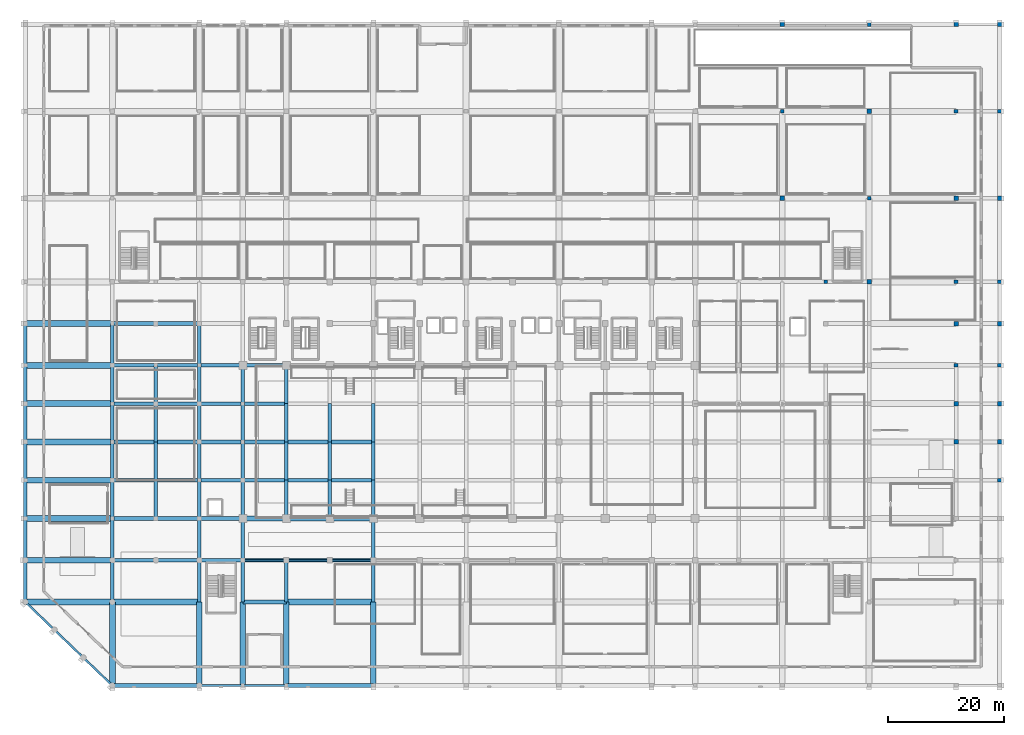
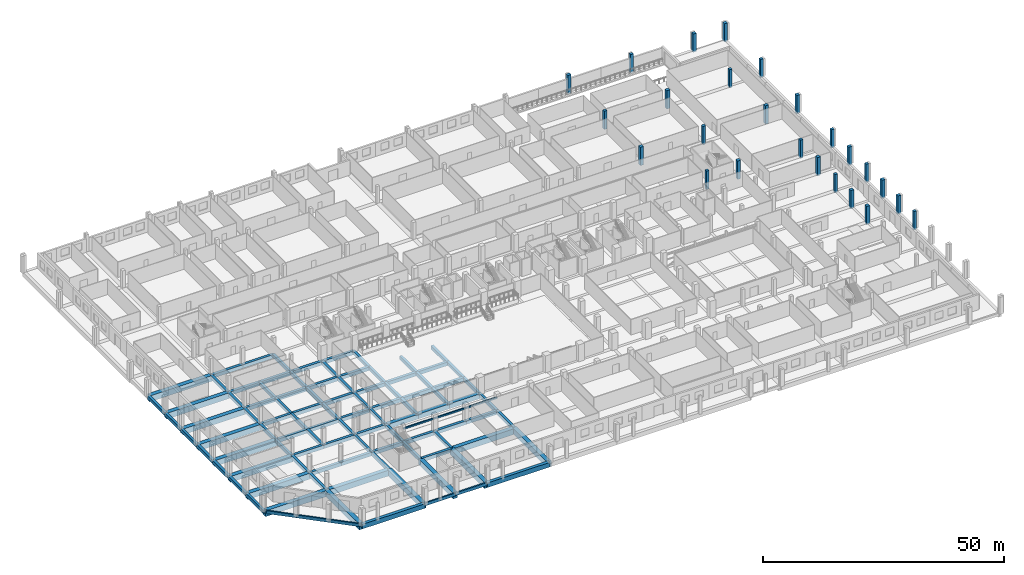
# One storey, part 5 of 33: 104 beams, 25 columns.
"""IFC4 building model written with IfcOpenShell, lengths in metres."""

from ifc_helpers import new_model, si_unit, direction, frame, origin, origin_2d, place, context, subcontext, project, spatial, rectangle, extrude, material, material_profile, profile_set, type_object, element, save


model = new_model("IFC4")

# Units and contexts
model_context = context("Model", 3, precision=1e-05, world=origin(), true_north=direction((0.0, 1.0)))
body_context = subcontext(model_context, "Body", "Model", "MODEL_VIEW")
ifc_project = project(units=[si_unit("LENGTHUNIT", "METRE"), si_unit("AREAUNIT", "SQUARE_METRE"), si_unit("VOLUMEUNIT", "CUBIC_METRE"), si_unit("PLANEANGLEUNIT", "RADIAN"), si_unit("MASSUNIT", "GRAM", prefix="KILO")], contexts=[model_context])

# Site, building, storey
site_placement = place(None, origin())
site = spatial("IfcSite", under=ifc_project, at=site_placement, CompositionType="ELEMENT")
building_placement = place(site_placement, origin())
building = spatial("IfcBuilding", under=site, at=building_placement, Name="Akrevak Sports Hall", CompositionType="ELEMENT")
storey_placement = place(building_placement, origin())
storey = spatial("IfcBuildingStorey", under=building, at=storey_placement, Name="L00", CompositionType="ELEMENT", Elevation=0.0)

# Columns
ifc_material_1 = material(Name="Concrete C40/50", Category="concrete")
ifc_material_profile_1 = material_profile(ifc_material_1, rectangle(XDim=0.64990234375, YDim=0.64990234375, at=origin_2d()), Name="RC 650x650", Category="concrete")
ifc_profile_set_1 = profile_set([ifc_material_profile_1], Name="Concrete C40/50")
column_type_1 = type_object("IfcColumnType", Name="STR-COL-RC650", PredefinedType="COLUMN", material=ifc_profile_set_1)
for number, where, z_axis, x_axis, name in (
    (1, (130.5, 99.0, -0.35009765625), (0.0, 0.0, 1.0), (1.0, 0.0, 0.0), "Column 18/O (L00)"),
    (2, (138.0, 69.60009765625, -0.35009765625), (0.0, 0.0, 1.0), (1.0, 0.0, 0.0), "Column 19/K (L00)"),
    (3, (145.5, 84.0, -0.35009765625), (0.0, 0.0, 1.0), (1.0, 0.0, 0.0), "Column 20/M (L00)"),
    (4, (145.5, 114.0, -0.35009765625), (0.0, 0.0, 1.0), (1.0, 0.0, 0.0), "Column 20/Q (L00)"),
    (5, (160.5, 55.199951171875, -0.35009765625), (0.0, 0.0, 1.0), (1.0, 0.0, 0.0), "Column 22/I (L00)"),
    (6, (160.5, 69.60009765625, -0.35009765625), (0.0, 0.0, 1.0), (1.0, 0.0, 0.0), "Column 22/K (L00)"),
    (7, (160.5, 99.0, -0.35009765625), (0.0, 0.0, 1.0), (1.0, 0.0, 0.0), "Column 22/O (L00)"),
    (8, (168.0, 35.39990234375, -0.35009765625), (0.0, 0.0, 1.0), (1.0, 0.0, 0.0), "Column 23/F (L00)"),
    (9, (168.0, 55.199951171875, -0.35009765625), (0.0, 0.0, 1.0), (1.0, 0.0, 0.0), "Column 23/I (L00)"),
    (10, (168.0, 69.60009765625, -0.35009765625), (0.0, 0.0, 1.0), (1.0, 0.0, 0.0), "Column 23/K (L00)"),
    (11, (168.0, 99.0, -0.35009765625), (0.0, 0.0, 1.0), (1.0, 0.0, 0.0), "Column 23/O (L00)"),
):
    element("IfcColumn", number, at=place(storey_placement, frame(where, z_axis=z_axis, x_axis=x_axis)), inside=storey, type_object=column_type_1, Name=name, PredefinedType="COLUMN", context=body_context, shape_type="SweptSolid", body=[
        extrude(rectangle(XDim=0.64990234375, YDim=0.64990234375, at=origin_2d()), origin(), (0.0, 0.0, 1.0), 4.650146484375),
    ])
ifc_material_profile_2 = material_profile(ifc_material_1, rectangle(XDim=0.75, YDim=0.75, at=origin_2d()), Name="RC 750x750", Category="concrete")
ifc_profile_set_2 = profile_set([ifc_material_profile_2], Name="Concrete C40/50")
column_type_2 = type_object("IfcColumnType", Name="STR-COL-RC750", PredefinedType="COLUMN", material=ifc_profile_set_2)
for number, where, z_axis, x_axis, name in (
    (12, (130.5, 84.0, -0.35009765625), (0.0, 0.0, 1.0), (1.0, 0.0, 0.0), "Column 18/M (L00)"),
    (13, (130.5, 114.0, -0.35009765625), (0.0, 0.0, 1.0), (1.0, 0.0, 0.0), "Column 18/Q (L00)"),
    (14, (145.5, 69.60009765625, -0.35009765625), (0.0, 0.0, 1.0), (1.0, 0.0, 0.0), "Column 20/K (L00)"),
    (15, (145.5, 99.0, -0.35009765625), (0.0, 0.0, 1.0), (1.0, 0.0, 0.0), "Column 20/O (L00)"),
    (16, (160.5, 42.0, -0.35009765625), (0.0, 0.0, 1.0), (1.0, 0.0, 0.0), "Column 22/G (L00)"),
    (17, (160.5, 48.60009765625, -0.35009765625), (0.0, 0.0, 1.0), (1.0, 0.0, 0.0), "Column 22/H (L00)"),
    (18, (160.5, 62.39990234375, -0.35009765625), (0.0, 0.0, 1.0), (1.0, 0.0, 0.0), "Column 22/J (L00)"),
    (19, (160.5, 84.0, -0.35009765625), (0.0, 0.0, 1.0), (1.0, 0.0, 0.0), "Column 22/M (L00)"),
    (20, (160.5, 114.0, -0.35009765625), (0.0, 0.0, 1.0), (1.0, 0.0, 0.0), "Column 22/Q (L00)"),
    (21, (168.0, 42.0, -0.35009765625), (0.0, 0.0, 1.0), (1.0, 0.0, 0.0), "Column 23/G (L00)"),
    (22, (168.0, 48.60009765625, -0.35009765625), (0.0, 0.0, 1.0), (1.0, 0.0, 0.0), "Column 23/H (L00)"),
    (23, (168.0, 62.39990234375, -0.35009765625), (0.0, 0.0, 1.0), (1.0, 0.0, 0.0), "Column 23/J (L00)"),
    (24, (168.0, 84.0, -0.35009765625), (0.0, 0.0, 1.0), (1.0, 0.0, 0.0), "Column 23/M (L00)"),
    (25, (168.0, 114.0, -0.35009765625), (0.0, 0.0, 1.0), (1.0, 0.0, 0.0), "Column 23/Q (L00)"),
):
    element("IfcColumn", number, at=place(storey_placement, frame(where, z_axis=z_axis, x_axis=x_axis)), inside=storey, type_object=column_type_2, Name=name, PredefinedType="COLUMN", context=body_context, shape_type="SweptSolid", body=[
        extrude(rectangle(XDim=0.75, YDim=0.75, at=origin_2d()), origin(), (0.0, 0.0, 1.0), 4.650146484375),
    ])

# Beams
ifc_material_2 = material(Name="Concrete C50/60", Category="concrete")
ifc_material_profile_3 = material_profile(ifc_material_2, rectangle(XDim=1.0, YDim=1.449951171875, at=origin_2d()), Name="BM 1000x1450", Category="concrete")
ifc_profile_set_3 = profile_set([ifc_material_profile_3], Name="Concrete C50/60")
beam_type_1 = type_object("IfcBeamType", Name="STR-BM-LG1000x1450", PredefinedType="BEAM", material=ifc_profile_set_3)
for number, where, z_axis, x_axis, name in (
    (26, (0.0, 14.39990234375, -0.72509765625), (1.0, 0.0, 0.0), (0.0, 1.0, 0.0), "Girder C/1-3 (L00)"),
    (27, (15.0, 14.39990234375, -0.72509765625), (1.0, 0.0, 0.0), (0.0, 1.0, 0.0), "Girder C/3-5 (L00)"),
    (28, (45.0, 14.39990234375, -0.72509765625), (1.0, 0.0, 0.0), (0.0, 1.0, 0.0), "Girder C/7-9 (L00)"),
    (29, (0.0, 21.60009765625, -0.72509765625), (1.0, 0.0, 0.0), (0.0, 1.0, 0.0), "Girder D/1-3 (L00)"),
    (30, (0.0, 28.800048828125, -0.72509765625), (1.0, 0.0, 0.0), (0.0, 1.0, 0.0), "Girder E/1-3 (L00)"),
    (31, (0.0, 35.39990234375, -0.72509765625), (1.0, 0.0, 0.0), (0.0, 1.0, 0.0), "Girder F/1-3 (L00)"),
    (32, (0.0, 42.0, -0.72509765625), (1.0, 0.0, 0.0), (0.0, 1.0, 0.0), "Girder G/1-3 (L00)"),
    (33, (0.0, 48.60009765625, -0.72509765625), (1.0, 0.0, 0.0), (0.0, 1.0, 0.0), "Girder H/1-3 (L00)"),
    (34, (0.0, 55.199951171875, -0.72509765625), (1.0, 0.0, 0.0), (0.0, 1.0, 0.0), "Girder I/1-3 (L00)"),
    (35, (0.0, 62.39990234375, -0.72509765625), (1.0, 0.0, 0.0), (0.0, 1.0, 0.0), "Girder J/1-3 (L00)"),
):
    element("IfcBeam", number, at=place(storey_placement, frame(where, z_axis=z_axis, x_axis=x_axis)), inside=storey, type_object=beam_type_1, Name=name, PredefinedType="BEAM", context=body_context, shape_type="SweptSolid", body=[
        extrude(rectangle(XDim=1.0, YDim=1.449951171875, at=origin_2d()), origin(), (0.0, 0.0, 1.0), 15.0),
    ])
for number, where, z_axis, x_axis, name in (
    (36, (15.0, 0.0, -0.72509765625), (0.0, 1.0, 0.0), (-1.0, 0.0, 0.0), "Girder 3/A-C (L00)"),
    (37, (30.0, 0.0, -0.72509765625), (0.0, 1.0, 0.0), (-1.0, 0.0, 0.0), "Girder 5/A-C (L00)"),
    (38, (37.5, 0.0, -0.72509765625), (0.0, 1.0, 0.0), (-1.0, 0.0, 0.0), "Girder 6/A-C (L00)"),
    (39, (45.0, 0.0, -0.72509765625), (0.0, 1.0, 0.0), (-1.0, 0.0, 0.0), "Girder 7/A-C (L00)"),
    (40, (60.0, 0.0, -0.72509765625), (0.0, 1.0, 0.0), (-1.0, 0.0, 0.0), "Girder 9/A-C (L00)"),
):
    element("IfcBeam", number, at=place(storey_placement, frame(where, z_axis=z_axis, x_axis=x_axis)), inside=storey, type_object=beam_type_1, Name=name, PredefinedType="BEAM", context=body_context, shape_type="SweptSolid", body=[
        extrude(rectangle(XDim=1.0, YDim=1.449951171875, at=origin_2d()), origin(), (0.0, 0.0, 1.0), 14.39990234375),
    ])
ifc_material_profile_4 = material_profile(ifc_material_1, rectangle(XDim=0.60009765625, YDim=0.85009765625, at=origin_2d()), Name="BM 600x850", Category="concrete")
ifc_profile_set_4 = profile_set([ifc_material_profile_4], Name="Concrete C40/50")
beam_type_2 = type_object("IfcBeamType", Name="STR-BM-RC600x850", PredefinedType="BEAM", material=ifc_profile_set_4)
beam_1_placement = place(storey_placement, frame((0.0, 14.39990234375, -0.425048828125), z_axis=(0.0, 1.0, 0.0), x_axis=(-1.0, 0.0, 0.0)))
element("IfcBeam", 41, at=beam_1_placement, inside=storey, type_object=beam_type_2, Name="Girder 1/C-D (L00)", PredefinedType="BEAM", context=body_context, shape_type="SweptSolid", body=[
    extrude(rectangle(XDim=0.60009765625, YDim=0.85009765625, at=origin_2d()), origin(), (0.0, 0.0, 1.0), 7.2001953125),
])
beam_2_placement = place(storey_placement, frame((0.0, 21.60009765625, -0.425048828125), z_axis=(0.0, 1.0, 0.0), x_axis=(-1.0, 0.0, 0.0)))
element("IfcBeam", 42, at=beam_2_placement, inside=storey, type_object=beam_type_2, Name="Girder 1/D-E (L00)", PredefinedType="BEAM", context=body_context, shape_type="SweptSolid", body=[
    extrude(rectangle(XDim=0.60009765625, YDim=0.85009765625, at=origin_2d()), origin(), (0.0, 0.0, 1.0), 7.199951171875),
])
beam_3_placement = place(storey_placement, frame((0.0, 28.800048828125, -0.425048828125), z_axis=(0.0, 1.0, 0.0), x_axis=(-1.0, 0.0, 0.0)))
element("IfcBeam", 43, at=beam_3_placement, inside=storey, type_object=beam_type_2, Name="Girder 1/E-F (L00)", PredefinedType="BEAM", context=body_context, shape_type="SweptSolid", body=[
    extrude(rectangle(XDim=0.60009765625, YDim=0.85009765625, at=origin_2d()), origin(), (0.0, 0.0, 1.0), 6.599853515625),
])
for number, where, z_axis, x_axis, name in (
    (44, (0.0, 35.39990234375, -0.425048828125), (0.0, 1.0, 0.0), (-1.0, 0.0, 0.0), "Girder 1/F-G (L00)"),
    (45, (0.0, 42.0, -0.425048828125), (0.0, 1.0, 0.0), (-1.0, 0.0, 0.0), "Girder 1/G-H (L00)"),
):
    element("IfcBeam", number, at=place(storey_placement, frame(where, z_axis=z_axis, x_axis=x_axis)), inside=storey, type_object=beam_type_2, Name=name, PredefinedType="BEAM", context=body_context, shape_type="SweptSolid", body=[
        extrude(rectangle(XDim=0.60009765625, YDim=0.85009765625, at=origin_2d()), origin(), (0.0, 0.0, 1.0), 6.60009765625),
    ])
beam_4_placement = place(storey_placement, frame((0.0, 48.60009765625, -0.425048828125), z_axis=(0.0, 1.0, 0.0), x_axis=(-1.0, 0.0, 0.0)))
element("IfcBeam", 46, at=beam_4_placement, inside=storey, type_object=beam_type_2, Name="Girder 1/H-I (L00)", PredefinedType="BEAM", context=body_context, shape_type="SweptSolid", body=[
    extrude(rectangle(XDim=0.60009765625, YDim=0.85009765625, at=origin_2d()), origin(), (0.0, 0.0, 1.0), 6.599853515625),
])
beam_5_placement = place(storey_placement, frame((0.0, 55.199951171875, -0.425048828125), z_axis=(0.0, 1.0, 0.0), x_axis=(-1.0, 0.0, 0.0)))
element("IfcBeam", 47, at=beam_5_placement, inside=storey, type_object=beam_type_2, Name="Girder 1/I-J (L00)", PredefinedType="BEAM", context=body_context, shape_type="SweptSolid", body=[
    extrude(rectangle(XDim=0.60009765625, YDim=0.85009765625, at=origin_2d()), origin(), (0.0, 0.0, 1.0), 7.199951171875),
])
beam_6_placement = place(storey_placement, frame((15.0, 14.39990234375, -0.425048828125), z_axis=(0.0, 1.0, 0.0), x_axis=(-1.0, 0.0, 0.0)))
element("IfcBeam", 48, at=beam_6_placement, inside=storey, type_object=beam_type_2, Name="Girder 3/C-D (L00)", PredefinedType="BEAM", context=body_context, shape_type="SweptSolid", body=[
    extrude(rectangle(XDim=0.60009765625, YDim=0.85009765625, at=origin_2d()), origin(), (0.0, 0.0, 1.0), 7.2001953125),
])
beam_7_placement = place(storey_placement, frame((15.0, 21.60009765625, -0.425048828125), z_axis=(0.0, 1.0, 0.0), x_axis=(-1.0, 0.0, 0.0)))
element("IfcBeam", 49, at=beam_7_placement, inside=storey, type_object=beam_type_2, Name="Girder 3/D-E (L00)", PredefinedType="BEAM", context=body_context, shape_type="SweptSolid", body=[
    extrude(rectangle(XDim=0.60009765625, YDim=0.85009765625, at=origin_2d()), origin(), (0.0, 0.0, 1.0), 7.199951171875),
])
beam_8_placement = place(storey_placement, frame((15.0, 28.800048828125, -0.425048828125), z_axis=(0.0, 1.0, 0.0), x_axis=(-1.0, 0.0, 0.0)))
element("IfcBeam", 50, at=beam_8_placement, inside=storey, type_object=beam_type_2, Name="Girder 3/E-F (L00)", PredefinedType="BEAM", context=body_context, shape_type="SweptSolid", body=[
    extrude(rectangle(XDim=0.60009765625, YDim=0.85009765625, at=origin_2d()), origin(), (0.0, 0.0, 1.0), 6.599853515625),
])
for number, where, z_axis, x_axis, name in (
    (51, (15.0, 35.39990234375, -0.425048828125), (0.0, 1.0, 0.0), (-1.0, 0.0, 0.0), "Girder 3/F-G (L00)"),
    (52, (15.0, 42.0, -0.425048828125), (0.0, 1.0, 0.0), (-1.0, 0.0, 0.0), "Girder 3/G-H (L00)"),
):
    element("IfcBeam", number, at=place(storey_placement, frame(where, z_axis=z_axis, x_axis=x_axis)), inside=storey, type_object=beam_type_2, Name=name, PredefinedType="BEAM", context=body_context, shape_type="SweptSolid", body=[
        extrude(rectangle(XDim=0.60009765625, YDim=0.85009765625, at=origin_2d()), origin(), (0.0, 0.0, 1.0), 6.60009765625),
    ])
beam_9_placement = place(storey_placement, frame((15.0, 48.60009765625, -0.425048828125), z_axis=(0.0, 1.0, 0.0), x_axis=(-1.0, 0.0, 0.0)))
element("IfcBeam", 53, at=beam_9_placement, inside=storey, type_object=beam_type_2, Name="Girder 3/H-I (L00)", PredefinedType="BEAM", context=body_context, shape_type="SweptSolid", body=[
    extrude(rectangle(XDim=0.60009765625, YDim=0.85009765625, at=origin_2d()), origin(), (0.0, 0.0, 1.0), 6.599853515625),
])
beam_10_placement = place(storey_placement, frame((15.0, 55.199951171875, -0.425048828125), z_axis=(0.0, 1.0, 0.0), x_axis=(-1.0, 0.0, 0.0)))
element("IfcBeam", 54, at=beam_10_placement, inside=storey, type_object=beam_type_2, Name="Girder 3/I-J (L00)", PredefinedType="BEAM", context=body_context, shape_type="SweptSolid", body=[
    extrude(rectangle(XDim=0.60009765625, YDim=0.85009765625, at=origin_2d()), origin(), (0.0, 0.0, 1.0), 7.199951171875),
])
beam_11_placement = place(storey_placement, frame((22.5, 28.800048828125, -0.425048828125), z_axis=(0.0, 1.0, 0.0), x_axis=(-1.0, 0.0, 0.0)))
element("IfcBeam", 55, at=beam_11_placement, inside=storey, type_object=beam_type_2, Name="Girder 4/E-F (L00)", PredefinedType="BEAM", context=body_context, shape_type="SweptSolid", body=[
    extrude(rectangle(XDim=0.60009765625, YDim=0.85009765625, at=origin_2d()), origin(), (0.0, 0.0, 1.0), 6.599853515625),
])
for number, where, z_axis, x_axis, name in (
    (56, (22.5, 35.39990234375, -0.425048828125), (0.0, 1.0, 0.0), (-1.0, 0.0, 0.0), "Girder 4/F-G (L00)"),
    (57, (22.5, 42.0, -0.425048828125), (0.0, 1.0, 0.0), (-1.0, 0.0, 0.0), "Girder 4/G-H (L00)"),
):
    element("IfcBeam", number, at=place(storey_placement, frame(where, z_axis=z_axis, x_axis=x_axis)), inside=storey, type_object=beam_type_2, Name=name, PredefinedType="BEAM", context=body_context, shape_type="SweptSolid", body=[
        extrude(rectangle(XDim=0.60009765625, YDim=0.85009765625, at=origin_2d()), origin(), (0.0, 0.0, 1.0), 6.60009765625),
    ])
beam_12_placement = place(storey_placement, frame((22.5, 48.60009765625, -0.425048828125), z_axis=(0.0, 1.0, 0.0), x_axis=(-1.0, 0.0, 0.0)))
element("IfcBeam", 58, at=beam_12_placement, inside=storey, type_object=beam_type_2, Name="Girder 4/H-I (L00)", PredefinedType="BEAM", context=body_context, shape_type="SweptSolid", body=[
    extrude(rectangle(XDim=0.60009765625, YDim=0.85009765625, at=origin_2d()), origin(), (0.0, 0.0, 1.0), 6.599853515625),
])
beam_13_placement = place(storey_placement, frame((30.0, 14.39990234375, -0.425048828125), z_axis=(0.0, 1.0, 0.0), x_axis=(-1.0, 0.0, 0.0)))
element("IfcBeam", 59, at=beam_13_placement, inside=storey, type_object=beam_type_2, Name="Girder 5/C-D (L00)", PredefinedType="BEAM", context=body_context, shape_type="SweptSolid", body=[
    extrude(rectangle(XDim=0.60009765625, YDim=0.85009765625, at=origin_2d()), origin(), (0.0, 0.0, 1.0), 7.2001953125),
])
beam_14_placement = place(storey_placement, frame((30.0, 21.60009765625, -0.425048828125), z_axis=(0.0, 1.0, 0.0), x_axis=(-1.0, 0.0, 0.0)))
element("IfcBeam", 60, at=beam_14_placement, inside=storey, type_object=beam_type_2, Name="Girder 5/D-E (L00)", PredefinedType="BEAM", context=body_context, shape_type="SweptSolid", body=[
    extrude(rectangle(XDim=0.60009765625, YDim=0.85009765625, at=origin_2d()), origin(), (0.0, 0.0, 1.0), 7.199951171875),
])
beam_15_placement = place(storey_placement, frame((30.0, 28.800048828125, -0.425048828125), z_axis=(0.0, 1.0, 0.0), x_axis=(-1.0, 0.0, 0.0)))
element("IfcBeam", 61, at=beam_15_placement, inside=storey, type_object=beam_type_2, Name="Girder 5/E-F (L00)", PredefinedType="BEAM", context=body_context, shape_type="SweptSolid", body=[
    extrude(rectangle(XDim=0.60009765625, YDim=0.85009765625, at=origin_2d()), origin(), (0.0, 0.0, 1.0), 6.599853515625),
])
for number, where, z_axis, x_axis, name in (
    (62, (30.0, 35.39990234375, -0.425048828125), (0.0, 1.0, 0.0), (-1.0, 0.0, 0.0), "Girder 5/F-G (L00)"),
    (63, (30.0, 42.0, -0.425048828125), (0.0, 1.0, 0.0), (-1.0, 0.0, 0.0), "Girder 5/G-H (L00)"),
):
    element("IfcBeam", number, at=place(storey_placement, frame(where, z_axis=z_axis, x_axis=x_axis)), inside=storey, type_object=beam_type_2, Name=name, PredefinedType="BEAM", context=body_context, shape_type="SweptSolid", body=[
        extrude(rectangle(XDim=0.60009765625, YDim=0.85009765625, at=origin_2d()), origin(), (0.0, 0.0, 1.0), 6.60009765625),
    ])
beam_16_placement = place(storey_placement, frame((30.0, 48.60009765625, -0.425048828125), z_axis=(0.0, 1.0, 0.0), x_axis=(-1.0, 0.0, 0.0)))
element("IfcBeam", 64, at=beam_16_placement, inside=storey, type_object=beam_type_2, Name="Girder 5/H-I (L00)", PredefinedType="BEAM", context=body_context, shape_type="SweptSolid", body=[
    extrude(rectangle(XDim=0.60009765625, YDim=0.85009765625, at=origin_2d()), origin(), (0.0, 0.0, 1.0), 6.599853515625),
])
beam_17_placement = place(storey_placement, frame((30.0, 55.199951171875, -0.425048828125), z_axis=(0.0, 1.0, 0.0), x_axis=(-1.0, 0.0, 0.0)))
element("IfcBeam", 65, at=beam_17_placement, inside=storey, type_object=beam_type_2, Name="Girder 5/I-J (L00)", PredefinedType="BEAM", context=body_context, shape_type="SweptSolid", body=[
    extrude(rectangle(XDim=0.60009765625, YDim=0.85009765625, at=origin_2d()), origin(), (0.0, 0.0, 1.0), 7.199951171875),
])
beam_18_placement = place(storey_placement, frame((37.5, 14.39990234375, -0.425048828125), z_axis=(0.0, 1.0, 0.0), x_axis=(-1.0, 0.0, 0.0)))
element("IfcBeam", 66, at=beam_18_placement, inside=storey, type_object=beam_type_2, Name="Girder 6/C-D (L00)", PredefinedType="BEAM", context=body_context, shape_type="SweptSolid", body=[
    extrude(rectangle(XDim=0.60009765625, YDim=0.85009765625, at=origin_2d()), origin(), (0.0, 0.0, 1.0), 7.2001953125),
])
beam_19_placement = place(storey_placement, frame((37.5, 21.60009765625, -0.425048828125), z_axis=(0.0, 1.0, 0.0), x_axis=(-1.0, 0.0, 0.0)))
element("IfcBeam", 67, at=beam_19_placement, inside=storey, type_object=beam_type_2, Name="Girder 6/D-E (L00)", PredefinedType="BEAM", context=body_context, shape_type="SweptSolid", body=[
    extrude(rectangle(XDim=0.60009765625, YDim=0.85009765625, at=origin_2d()), origin(), (0.0, 0.0, 1.0), 7.199951171875),
])
beam_20_placement = place(storey_placement, frame((37.5, 28.800048828125, -0.425048828125), z_axis=(0.0, 1.0, 0.0), x_axis=(-1.0, 0.0, 0.0)))
element("IfcBeam", 68, at=beam_20_placement, inside=storey, type_object=beam_type_2, Name="Girder 6/E-F (L00)", PredefinedType="BEAM", context=body_context, shape_type="SweptSolid", body=[
    extrude(rectangle(XDim=0.60009765625, YDim=0.85009765625, at=origin_2d()), origin(), (0.0, 0.0, 1.0), 6.599853515625),
])
for number, where, z_axis, x_axis, name in (
    (69, (37.5, 35.39990234375, -0.425048828125), (0.0, 1.0, 0.0), (-1.0, 0.0, 0.0), "Girder 6/F-G (L00)"),
    (70, (37.5, 42.0, -0.425048828125), (0.0, 1.0, 0.0), (-1.0, 0.0, 0.0), "Girder 6/G-H (L00)"),
):
    element("IfcBeam", number, at=place(storey_placement, frame(where, z_axis=z_axis, x_axis=x_axis)), inside=storey, type_object=beam_type_2, Name=name, PredefinedType="BEAM", context=body_context, shape_type="SweptSolid", body=[
        extrude(rectangle(XDim=0.60009765625, YDim=0.85009765625, at=origin_2d()), origin(), (0.0, 0.0, 1.0), 6.60009765625),
    ])
beam_21_placement = place(storey_placement, frame((37.5, 48.60009765625, -0.425048828125), z_axis=(0.0, 1.0, 0.0), x_axis=(-1.0, 0.0, 0.0)))
element("IfcBeam", 71, at=beam_21_placement, inside=storey, type_object=beam_type_2, Name="Girder 6/H-I (L00)", PredefinedType="BEAM", context=body_context, shape_type="SweptSolid", body=[
    extrude(rectangle(XDim=0.60009765625, YDim=0.85009765625, at=origin_2d()), origin(), (0.0, 0.0, 1.0), 6.599853515625),
])
beam_22_placement = place(storey_placement, frame((45.0, 14.39990234375, -0.425048828125), z_axis=(0.0, 1.0, 0.0), x_axis=(-1.0, 0.0, 0.0)))
element("IfcBeam", 72, at=beam_22_placement, inside=storey, type_object=beam_type_2, Name="Girder 7/C-D (L00)", PredefinedType="BEAM", context=body_context, shape_type="SweptSolid", body=[
    extrude(rectangle(XDim=0.60009765625, YDim=0.85009765625, at=origin_2d()), origin(), (0.0, 0.0, 1.0), 7.2001953125),
])
beam_23_placement = place(storey_placement, frame((45.0, 28.800048828125, -0.425048828125), z_axis=(0.0, 1.0, 0.0), x_axis=(-1.0, 0.0, 0.0)))
element("IfcBeam", 73, at=beam_23_placement, inside=storey, type_object=beam_type_2, Name="Girder 7/E-F (L00)", PredefinedType="BEAM", context=body_context, shape_type="SweptSolid", body=[
    extrude(rectangle(XDim=0.60009765625, YDim=0.85009765625, at=origin_2d()), origin(), (0.0, 0.0, 1.0), 6.599853515625),
])
for number, where, z_axis, x_axis, name in (
    (74, (45.0, 35.39990234375, -0.425048828125), (0.0, 1.0, 0.0), (-1.0, 0.0, 0.0), "Girder 7/F-G (L00)"),
    (75, (45.0, 42.0, -0.425048828125), (0.0, 1.0, 0.0), (-1.0, 0.0, 0.0), "Girder 7/G-H (L00)"),
):
    element("IfcBeam", number, at=place(storey_placement, frame(where, z_axis=z_axis, x_axis=x_axis)), inside=storey, type_object=beam_type_2, Name=name, PredefinedType="BEAM", context=body_context, shape_type="SweptSolid", body=[
        extrude(rectangle(XDim=0.60009765625, YDim=0.85009765625, at=origin_2d()), origin(), (0.0, 0.0, 1.0), 6.60009765625),
    ])
for number, where, z_axis, x_axis, name in (
    (76, (45.0, 48.60009765625, -0.425048828125), (0.0, 1.0, 0.0), (-1.0, 0.0, 0.0), "Girder 7/H-I (L00)"),
    (77, (52.5, 28.800048828125, -0.425048828125), (0.0, 1.0, 0.0), (-1.0, 0.0, 0.0), "Girder 8/E-F (L00)"),
):
    element("IfcBeam", number, at=place(storey_placement, frame(where, z_axis=z_axis, x_axis=x_axis)), inside=storey, type_object=beam_type_2, Name=name, PredefinedType="BEAM", context=body_context, shape_type="SweptSolid", body=[
        extrude(rectangle(XDim=0.60009765625, YDim=0.85009765625, at=origin_2d()), origin(), (0.0, 0.0, 1.0), 6.599853515625),
    ])
for number, where, z_axis, x_axis, name in (
    (78, (52.5, 35.39990234375, -0.425048828125), (0.0, 1.0, 0.0), (-1.0, 0.0, 0.0), "Girder 8/F-G (L00)"),
    (79, (52.5, 42.0, -0.425048828125), (0.0, 1.0, 0.0), (-1.0, 0.0, 0.0), "Girder 8/G-H (L00)"),
):
    element("IfcBeam", number, at=place(storey_placement, frame(where, z_axis=z_axis, x_axis=x_axis)), inside=storey, type_object=beam_type_2, Name=name, PredefinedType="BEAM", context=body_context, shape_type="SweptSolid", body=[
        extrude(rectangle(XDim=0.60009765625, YDim=0.85009765625, at=origin_2d()), origin(), (0.0, 0.0, 1.0), 6.60009765625),
    ])
beam_24_placement = place(storey_placement, frame((60.0, 14.39990234375, -0.425048828125), z_axis=(0.0, 1.0, 0.0), x_axis=(-1.0, 0.0, 0.0)))
element("IfcBeam", 80, at=beam_24_placement, inside=storey, type_object=beam_type_2, Name="Girder 9/C-D (L00)", PredefinedType="BEAM", context=body_context, shape_type="SweptSolid", body=[
    extrude(rectangle(XDim=0.60009765625, YDim=0.85009765625, at=origin_2d()), origin(), (0.0, 0.0, 1.0), 7.2001953125),
])
beam_25_placement = place(storey_placement, frame((60.0, 21.60009765625, -0.425048828125), z_axis=(0.0, 1.0, 0.0), x_axis=(-1.0, 0.0, 0.0)))
element("IfcBeam", 81, at=beam_25_placement, inside=storey, type_object=beam_type_2, Name="Girder 9/D-E (L00)", PredefinedType="BEAM", context=body_context, shape_type="SweptSolid", body=[
    extrude(rectangle(XDim=0.60009765625, YDim=0.85009765625, at=origin_2d()), origin(), (0.0, 0.0, 1.0), 7.199951171875),
])
beam_26_placement = place(storey_placement, frame((60.0, 28.800048828125, -0.425048828125), z_axis=(0.0, 1.0, 0.0), x_axis=(-1.0, 0.0, 0.0)))
element("IfcBeam", 82, at=beam_26_placement, inside=storey, type_object=beam_type_2, Name="Girder 9/E-F (L00)", PredefinedType="BEAM", context=body_context, shape_type="SweptSolid", body=[
    extrude(rectangle(XDim=0.60009765625, YDim=0.85009765625, at=origin_2d()), origin(), (0.0, 0.0, 1.0), 6.599853515625),
])
for number, where, z_axis, x_axis, name in (
    (83, (60.0, 35.39990234375, -0.425048828125), (0.0, 1.0, 0.0), (-1.0, 0.0, 0.0), "Girder 9/F-G (L00)"),
    (84, (60.0, 42.0, -0.425048828125), (0.0, 1.0, 0.0), (-1.0, 0.0, 0.0), "Girder 9/G-H (L00)"),
):
    element("IfcBeam", number, at=place(storey_placement, frame(where, z_axis=z_axis, x_axis=x_axis)), inside=storey, type_object=beam_type_2, Name=name, PredefinedType="BEAM", context=body_context, shape_type="SweptSolid", body=[
        extrude(rectangle(XDim=0.60009765625, YDim=0.85009765625, at=origin_2d()), origin(), (0.0, 0.0, 1.0), 6.60009765625),
    ])
ifc_material_profile_5 = material_profile(ifc_material_1, rectangle(XDim=0.64990234375, YDim=0.89990234375, at=origin_2d()), Name="BM 650x900", Category="concrete")
ifc_profile_set_5 = profile_set([ifc_material_profile_5], Name="Concrete C40/50")
beam_type_3 = type_object("IfcBeamType", Name="STR-BM-RC650x900", PredefinedType="BEAM", material=ifc_profile_set_5)
for number, where, z_axis, x_axis, name in (
    (85, (37.5, 14.39990234375, -0.449951171875), (1.0, 0.0, 0.0), (0.0, 1.0, 0.0), "Girder C/6-7 (L00)"),
    (86, (15.0, 21.60009765625, -0.449951171875), (1.0, 0.0, 0.0), (0.0, 1.0, 0.0), "Girder D/3-4 (L00)"),
    (87, (22.5, 21.60009765625, -0.449951171875), (1.0, 0.0, 0.0), (0.0, 1.0, 0.0), "Girder D/4-5 (L00)"),
    (88, (30.0, 21.60009765625, -0.449951171875), (1.0, 0.0, 0.0), (0.0, 1.0, 0.0), "Girder D/5-6 (L00)"),
    (89, (37.5, 21.60009765625, -0.449951171875), (1.0, 0.0, 0.0), (0.0, 1.0, 0.0), "Girder D/6-7 (L00)"),
    (90, (45.0, 21.60009765625, -0.449951171875), (1.0, 0.0, 0.0), (0.0, 1.0, 0.0), "Girder D/7-8 (L00)"),
    (91, (52.5, 21.60009765625, -0.449951171875), (1.0, 0.0, 0.0), (0.0, 1.0, 0.0), "Girder D/8-9 (L00)"),
    (92, (15.0, 28.800048828125, -0.449951171875), (1.0, 0.0, 0.0), (0.0, 1.0, 0.0), "Girder E/3-4 (L00)"),
    (93, (22.5, 28.800048828125, -0.449951171875), (1.0, 0.0, 0.0), (0.0, 1.0, 0.0), "Girder E/4-5 (L00)"),
    (94, (30.0, 28.800048828125, -0.449951171875), (1.0, 0.0, 0.0), (0.0, 1.0, 0.0), "Girder E/5-6 (L00)"),
    (95, (15.0, 35.39990234375, -0.449951171875), (1.0, 0.0, 0.0), (0.0, 1.0, 0.0), "Girder F/3-4 (L00)"),
    (96, (22.5, 35.39990234375, -0.449951171875), (1.0, 0.0, 0.0), (0.0, 1.0, 0.0), "Girder F/4-5 (L00)"),
    (97, (30.0, 35.39990234375, -0.449951171875), (1.0, 0.0, 0.0), (0.0, 1.0, 0.0), "Girder F/5-6 (L00)"),
    (98, (37.5, 35.39990234375, -0.449951171875), (1.0, 0.0, 0.0), (0.0, 1.0, 0.0), "Girder F/6-7 (L00)"),
    (99, (45.0, 35.39990234375, -0.449951171875), (1.0, 0.0, 0.0), (0.0, 1.0, 0.0), "Girder F/7-8 (L00)"),
    (100, (52.5, 35.39990234375, -0.449951171875), (1.0, 0.0, 0.0), (0.0, 1.0, 0.0), "Girder F/8-9 (L00)"),
    (101, (15.0, 42.0, -0.449951171875), (1.0, 0.0, 0.0), (0.0, 1.0, 0.0), "Girder G/3-4 (L00)"),
    (102, (22.5, 42.0, -0.449951171875), (1.0, 0.0, 0.0), (0.0, 1.0, 0.0), "Girder G/4-5 (L00)"),
    (103, (30.0, 42.0, -0.449951171875), (1.0, 0.0, 0.0), (0.0, 1.0, 0.0), "Girder G/5-6 (L00)"),
    (104, (37.5, 42.0, -0.449951171875), (1.0, 0.0, 0.0), (0.0, 1.0, 0.0), "Girder G/6-7 (L00)"),
    (105, (45.0, 42.0, -0.449951171875), (1.0, 0.0, 0.0), (0.0, 1.0, 0.0), "Girder G/7-8 (L00)"),
    (106, (52.5, 42.0, -0.449951171875), (1.0, 0.0, 0.0), (0.0, 1.0, 0.0), "Girder G/8-9 (L00)"),
    (107, (15.0, 48.60009765625, -0.449951171875), (1.0, 0.0, 0.0), (0.0, 1.0, 0.0), "Girder H/3-4 (L00)"),
    (108, (22.5, 48.60009765625, -0.449951171875), (1.0, 0.0, 0.0), (0.0, 1.0, 0.0), "Girder H/4-5 (L00)"),
    (109, (30.0, 48.60009765625, -0.449951171875), (1.0, 0.0, 0.0), (0.0, 1.0, 0.0), "Girder H/5-6 (L00)"),
    (110, (37.5, 48.60009765625, -0.449951171875), (1.0, 0.0, 0.0), (0.0, 1.0, 0.0), "Girder H/6-7 (L00)"),
    (111, (15.0, 55.199951171875, -0.449951171875), (1.0, 0.0, 0.0), (0.0, 1.0, 0.0), "Girder I/3-4 (L00)"),
    (112, (22.5, 55.199951171875, -0.449951171875), (1.0, 0.0, 0.0), (0.0, 1.0, 0.0), "Girder I/4-5 (L00)"),
    (113, (30.0, 55.199951171875, -0.449951171875), (1.0, 0.0, 0.0), (0.0, 1.0, 0.0), "Girder I/5-6 (L00)"),
    (114, (37.5, 55.199951171875, -0.449951171875), (1.0, 0.0, 0.0), (0.0, 1.0, 0.0), "Girder I/6-7 (L00)"),
    (115, (15.0, 62.39990234375, -0.449951171875), (1.0, 0.0, 0.0), (0.0, 1.0, 0.0), "Girder J/3-4 (L00)"),
    (116, (22.5, 62.39990234375, -0.449951171875), (1.0, 0.0, 0.0), (0.0, 1.0, 0.0), "Girder J/4-5 (L00)"),
):
    element("IfcBeam", number, at=place(storey_placement, frame(where, z_axis=z_axis, x_axis=x_axis)), inside=storey, type_object=beam_type_3, Name=name, PredefinedType="BEAM", context=body_context, shape_type="SweptSolid", body=[
        extrude(rectangle(XDim=0.64990234375, YDim=0.89990234375, at=origin_2d()), origin(), (0.0, 0.0, 1.0), 7.5),
    ])
ifc_material_profile_6 = material_profile(ifc_material_2, rectangle(XDim=0.89990234375, YDim=1.199951171875, at=origin_2d()), Name="BM 900x1200", Category="concrete")
ifc_profile_set_6 = profile_set([ifc_material_profile_6], Name="Concrete C50/60")
beam_type_4 = type_object("IfcBeamType", Name="STR-BM-RC900x1200", PredefinedType="BEAM", material=ifc_profile_set_6)
for number, where, z_axis, x_axis, name in (
    (117, (37.5, 28.800048828125, -0.60009765625), (1.0, 0.0, 0.0), (0.0, 1.0, 0.0), "Girder E/6-7 (L00)"),
    (118, (45.0, 28.800048828125, -0.60009765625), (1.0, 0.0, 0.0), (0.0, 1.0, 0.0), "Girder E/7-8 (L00)"),
    (119, (52.5, 28.800048828125, -0.60009765625), (1.0, 0.0, 0.0), (0.0, 1.0, 0.0), "Girder E/8-9 (L00)"),
):
    element("IfcBeam", number, at=place(storey_placement, frame(where, z_axis=z_axis, x_axis=x_axis)), inside=storey, type_object=beam_type_4, Name=name, PredefinedType="BEAM", context=body_context, shape_type="SweptSolid", body=[
        extrude(rectangle(XDim=0.89990234375, YDim=1.199951171875, at=origin_2d()), origin(), (0.0, 0.0, 1.0), 7.5),
    ])
ifc_material_profile_7 = material_profile(ifc_material_1, rectangle(XDim=0.300048828125, YDim=0.3798828125, at=origin_2d()), Name="LNT 300x380", Category="concrete")
ifc_profile_set_7 = profile_set([ifc_material_profile_7], Name="Concrete C40/50")
beam_type_5 = type_object("IfcBeamType", Name="STR-LNT-RC300x380", PredefinedType="LINTEL", material=ifc_profile_set_7)
for number, where, z_axis, x_axis, name in (
    (120, (37.5, 21.60009765625, 3.10009765625), (1.0, 0.0, 0.0), (0.0, 1.0, 0.0), "Reinforced Concrete Portal Lintel LN-01"),
    (121, (45.0, 21.60009765625, 3.10009765625), (1.0, 0.0, 0.0), (0.0, 1.0, 0.0), "Reinforced Concrete Portal Lintel LN-02"),
    (122, (52.5, 21.60009765625, 3.10009765625), (1.0, 0.0, 0.0), (0.0, 1.0, 0.0), "Reinforced Concrete Portal Lintel LN-03"),
):
    element("IfcBeam", number, at=place(storey_placement, frame(where, z_axis=z_axis, x_axis=x_axis)), inside=storey, type_object=beam_type_5, Name=name, PredefinedType="LINTEL", context=body_context, shape_type="SweptSolid", body=[
        extrude(rectangle(XDim=0.300048828125, YDim=0.3798828125, at=origin_2d()), origin(), (0.0, 0.0, 1.0), 7.5),
    ])
ifc_material_profile_8 = material_profile(ifc_material_2, rectangle(XDim=0.75, YDim=1.14990234375, at=origin_2d()), Name="SPD 750x1150", Category="concrete")
ifc_profile_set_8 = profile_set([ifc_material_profile_8], Name="Concrete C50/60")
beam_type_6 = type_object("IfcBeamType", Name="STR-SPD-LSP750x1150", PredefinedType="SPANDREL", material=ifc_profile_set_8)
for number, where, z_axis, x_axis, name in (
    (123, (15.0, 0.0, -0.574951171875), (1.0, 0.0, 0.0), (0.0, 1.0, 0.0), "Girder A/3-5 (L00)"),
    (124, (45.0, 0.0, -0.574951171875), (1.0, 0.0, 0.0), (0.0, 1.0, 0.0), "Girder A/7-9 (L00)"),
):
    element("IfcBeam", number, at=place(storey_placement, frame(where, z_axis=z_axis, x_axis=x_axis)), inside=storey, type_object=beam_type_6, Name=name, PredefinedType="SPANDREL", context=body_context, shape_type="SweptSolid", body=[
        extrude(rectangle(XDim=0.75, YDim=1.14990234375, at=origin_2d()), origin(), (0.0, 0.0, 1.0), 15.0),
    ])
ifc_material_profile_9 = material_profile(ifc_material_1, rectangle(XDim=0.35009765625, YDim=0.75, at=origin_2d()), Name="SPD 350x750", Category="concrete")
ifc_profile_set_9 = profile_set([ifc_material_profile_9], Name="Concrete C40/50")
beam_type_7 = type_object("IfcBeamType", Name="STR-SPD-RC350x750", PredefinedType="SPANDREL", material=ifc_profile_set_9)
for number, where, z_axis, x_axis, name in (
    (125, (30.0, 0.0, -0.375), (1.0, 0.0, 0.0), (0.0, 1.0, 0.0), "Girder A/5-6 (L00)"),
    (126, (37.5, 0.0, -0.375), (1.0, 0.0, 0.0), (0.0, 1.0, 0.0), "Girder A/6-7 (L00)"),
):
    element("IfcBeam", number, at=place(storey_placement, frame(where, z_axis=z_axis, x_axis=x_axis)), inside=storey, type_object=beam_type_7, Name=name, PredefinedType="SPANDREL", context=body_context, shape_type="SweptSolid", body=[
        extrude(rectangle(XDim=0.35009765625, YDim=0.75, at=origin_2d()), origin(), (0.0, 0.0, 1.0), 7.5),
    ])
for number, where, z_axis, x_axis, name in (
    (127, (15.0, 0.0, -0.375), (-0.721383801573, 0.692535494273, 0.0), (-0.692535494273, -0.721383801573, 0.0), "Chamfer Colonnade Spandrel Girder 1 (L00)"),
    (128, (10.0, 4.800048828125, -0.375), (-0.721383801573, 0.692535494273, 0.0), (-0.692535494273, -0.721383801573, 0.0), "Chamfer Colonnade Spandrel Girder 2 (L00)"),
):
    element("IfcBeam", number, at=place(storey_placement, frame(where, z_axis=z_axis, x_axis=x_axis)), inside=storey, type_object=beam_type_7, Name=name, PredefinedType="SPANDREL", context=body_context, shape_type="SweptSolid", body=[
        extrude(rectangle(XDim=0.35009765625, YDim=0.75, at=origin_2d()), origin(), (0.0, 0.0, 1.0), 6.93115234375),
    ])
beam_27_placement = place(storey_placement, frame((5.0, 9.60009765625, -0.375), z_axis=(-0.721401399021, 0.692517163318, 0.0), x_axis=(-0.692517163318, -0.721401399021, 0.0)))
element("IfcBeam", 129, at=beam_27_placement, inside=storey, type_object=beam_type_7, Name="Chamfer Colonnade Spandrel Girder 3 (L00)", PredefinedType="SPANDREL", context=body_context, shape_type="SweptSolid", body=[
    extrude(rectangle(XDim=0.35009765625, YDim=0.75, at=origin_2d()), origin(), (0.0, 0.0, 1.0), 6.930908203125),
])

save(model, "model.ifc")
